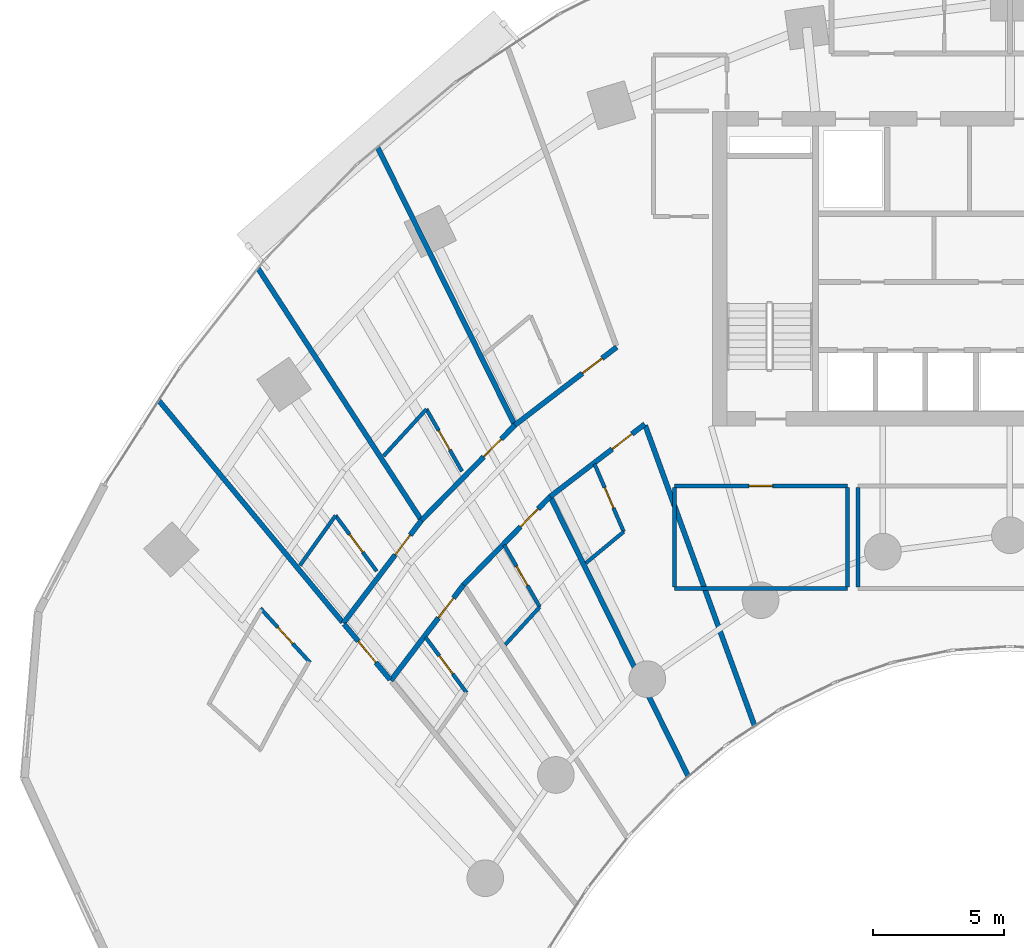
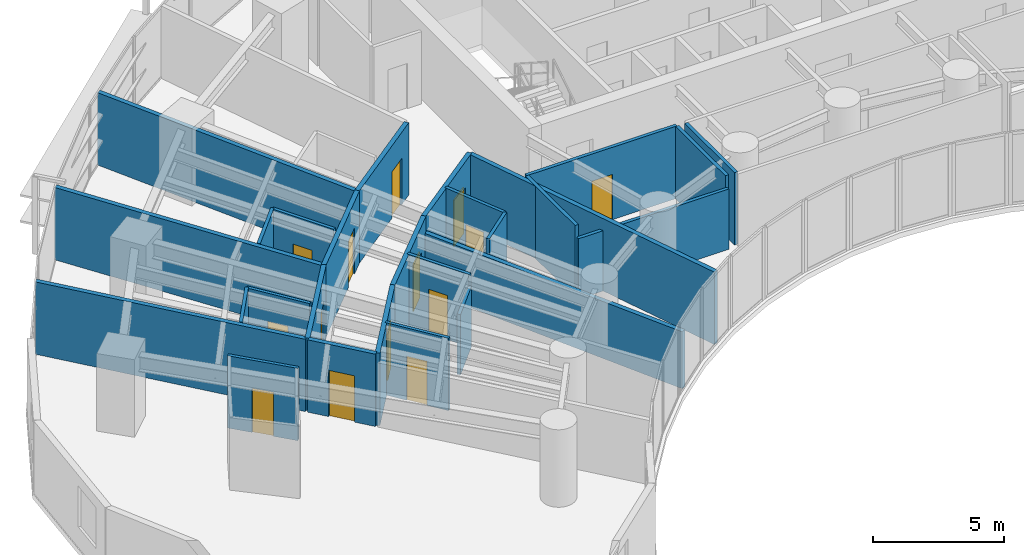
# One storey, part 11 of 18: 27 walls, 14 doors, 14 openings.
"""IFC4 building model written with IfcOpenShell, lengths in metres."""

from ifc_helpers import new_model, si_unit, direction, frame, frame_2d, origin, place, context, subcontext, project, spatial, rectangle, extrude, source, transform, mapped, material, layer, layer_set, type_object, type_shapes, element, fill, save


model = new_model("IFC4")

# Units and contexts
model_context = context("Model", 3, precision=1e-05, world=origin(), true_north=direction((0.0, 1.0)))
body_context = subcontext(model_context, "Body", "Model", "MODEL_VIEW")
ifc_project = project(units=[si_unit("LENGTHUNIT", "METRE"), si_unit("AREAUNIT", "SQUARE_METRE"), si_unit("VOLUMEUNIT", "CUBIC_METRE"), si_unit("PLANEANGLEUNIT", "RADIAN"), si_unit("MASSUNIT", "GRAM", prefix="KILO")], contexts=[model_context])

# Site, building, storey
site_placement = place(None, origin())
site = spatial("IfcSite", under=ifc_project, at=site_placement, CompositionType="ELEMENT")
building_placement = place(site_placement, origin())
building = spatial("IfcBuilding", under=site, at=building_placement, Name="Breltana Convention Tower", CompositionType="ELEMENT")
storey_placement = place(building_placement, frame((0.0, 0.0, 42.60009765625)))
storey = spatial("IfcBuildingStorey", under=building, at=storey_placement, Name="L08", CompositionType="ELEMENT", Elevation=42.60009765625)

# Walls
ifc_material_1 = material(Name="Gypsum Acoustic Drywall Partition")
ifc_layer_1 = layer(ifc_material_1, 0.14990234375, Name="Gypsum Acoustic Drywall Partition")
ifc_layer_set_1 = layer_set([ifc_layer_1], Name="Gypsum Acoustic Drywall Partition")
wall_type_1 = type_object("IfcWallType", Name="WL-PART-150", PredefinedType="PARTITIONING", material=ifc_layer_set_1)
shared_shape_1 = source(origin(), body_context, "Body", "SweptSolid", [
    extrude(rectangle(XDim=6.60009765625, YDim=0.14990234375, at=frame_2d((3.300048828125, 0.0))), origin(), (0.0, 0.0, 1.0), 2.802978515625),
])
wall_1_placement = place(storey_placement, frame((35.199951171875, 54.0, 0.0), z_axis=(0.0, 0.0, 1.0), x_axis=(1.0, 0.0, 0.0)))
element("IfcWall", 1, at=wall_1_placement, inside=storey, type_object=wall_type_1, Name="L08 interior partition W-L08-HSK-S", PredefinedType="PARTITIONING", context=body_context, shape_type="MappedRepresentation", body=[
    mapped(shared_shape_1, transform((0.0, 0.0, 0.0), scale=1.0)),
])
ifc_material_2 = material(Name="Moisture-Resistant En-Suite Partition")
ifc_layer_2 = layer(ifc_material_2, 0.139892578125, Name="Moisture-Resistant En-Suite Partition")
ifc_layer_set_2 = layer_set([ifc_layer_2], Name="Moisture-Resistant En-Suite Partition")
wall_type_2 = type_object("IfcWallType", Name="WL-WET-150", PredefinedType="PARTITIONING", material=ifc_layer_set_2)
shared_shape_2 = source(origin(), body_context, "Body", "SweptSolid", [
    extrude(rectangle(XDim=1.946533203125, YDim=0.139892578125, at=frame_2d((0.97314453125, 0.0))), origin(), (0.0, 0.0, 1.0), 2.802978515625),
])
wall_2_placement = place(storey_placement, frame((28.7490234375, 51.8642578125, 0.0), z_axis=(0.0, 0.0, 1.0), x_axis=(0.675383794012, 0.737466426888, 0.0)))
element("IfcWall", 2, at=wall_2_placement, inside=storey, type_object=wall_type_2, Name="L08 interior partition W-L08-HK04E-BK", PredefinedType="PARTITIONING", context=body_context, shape_type="MappedRepresentation", body=[
    mapped(shared_shape_2, transform((0.0, 0.0, 0.0), scale=1.0)),
])

# Wall, opening, door
shared_shape_3 = source(origin(), body_context, "Body", "SweptSolid", [
    extrude(rectangle(XDim=6.60009765625, YDim=0.14990234375, at=frame_2d((3.300048828125, 0.0))), origin(), (0.0, 0.0, 1.0), 3.35986328125),
])
wall_3_placement = place(storey_placement, frame((35.199951171875, 57.919921875, 0.0), z_axis=(0.0, 0.0, 1.0), x_axis=(1.0, 0.0, 0.0)))
wall_3 = element("IfcWall", 3, at=wall_3_placement, inside=storey, type_object=wall_type_1, Name="L08 interior partition W-L08-HSK-N", PredefinedType="PARTITIONING", context=body_context, shape_type="MappedRepresentation", body=[
    mapped(shared_shape_3, transform((0.0, 0.0, 0.0), scale=1.0)),
])
opening_1_placement = place(wall_3_placement, frame((2.85009765625, 0.0, 0.0)))
opening_1 = element("IfcOpeningElement", 4, at=opening_1_placement, cuts=wall_3, Name="Opening D-18", PredefinedType="OPENING", context=body_context, shape_type="SweptSolid", body=[
    extrude(rectangle(XDim=0.89990234375, YDim=2.10009765625, at=frame_2d((0.449951171875, 1.050048828125))), frame((0.0, 0.0849609375, 0.0), z_axis=(0.0, -1.0, 0.0), x_axis=(1.0, 0.0, 0.0)), (0.0, 0.0, 1.0), 0.169921875),
])
ifc_material_3 = material(Name="Steel Riser Fire Door", Category="steel")
door_type_1 = type_object("IfcDoorType", Name="DR-FD60-900", OperationType="NOTDEFINED", PredefinedType="DOOR", material=ifc_material_3)
shared_shape_4 = source(origin(), body_context, "Body", "SweptSolid", [
    extrude(rectangle(XDim=0.89990234375, YDim=2.10009765625, at=frame_2d((0.449951171875, 1.050048828125))), frame((0.0, 0.02490234375, 0.0), z_axis=(0.0, -1.0, 0.0), x_axis=(1.0, 0.0, 0.0)), (0.0, 0.0, 1.0), 0.050048828125),
])
type_shapes(door_type_1, [shared_shape_4])
door_1_placement = place(opening_1_placement, origin())
door_1 = element("IfcDoor", 5, at=door_1_placement, inside=storey, type_object=door_type_1, Name="L08 interior door D-L08-HSK", OperationType="SINGLE_SWING_RIGHT", OverallHeight=2.10009765625, OverallWidth=0.89990234375, PredefinedType="DOOR", context=body_context, shape_type="MappedRepresentation", body=[
    mapped(shared_shape_4, transform((0.0, 0.0, 0.0), scale=1.0)),
])
fill(opening_1, door_1)

# Walls
shared_shape_5 = source(origin(), body_context, "Body", "SweptSolid", [
    extrude(rectangle(XDim=3.78515625, YDim=0.14990234375, at=frame_2d((1.892578125, 0.0))), origin(), (0.0, 0.0, 1.0), 3.35986328125),
])
for number, where, z_axis, x_axis, name in (
    (6, (35.199951171875, 54.0673828125, 0.0), (0.0, 0.0, 1.0), (0.0, 1.0, 0.0), "L08 interior partition W-L08-HSK-W"),
    (7, (41.800048828125, 54.0673828125, 0.0), (0.0, 0.0, 1.0), (0.0, 1.0, 0.0), "L08 interior partition W-L08-HSK-E"),
    (8, (42.199951171875, 54.0673828125, 0.0), (0.0, 0.0, 1.0), (0.0, 1.0, 0.0), "L08 interior partition W-L08-HLG-W"),
):
    element("IfcWall", number, at=place(storey_placement, frame(where, z_axis=z_axis, x_axis=x_axis)), inside=storey, type_object=wall_type_1, Name=name, PredefinedType="PARTITIONING", context=body_context, shape_type="MappedRepresentation", body=[
        mapped(shared_shape_5, transform((0.0, 0.0, 0.0), scale=1.0)),
    ])

# Wall, opening, door
ifc_material_4 = material(Name="Gypsum Acoustic Hotel Wall")
ifc_layer_3 = layer(ifc_material_4, 0.195068359375, Name="Gypsum Acoustic Hotel Wall")
ifc_layer_set_3 = layer_set([ifc_layer_3], Name="Gypsum Acoustic Hotel Wall")
wall_type_3 = type_object("IfcWallType", Name="WL-HOTEL-200", PredefinedType="PARTITIONING", material=ifc_layer_set_3)
shared_shape_6 = source(origin(), body_context, "Body", "SweptSolid", [
    extrude(rectangle(XDim=4.927734375, YDim=0.195068359375, at=frame_2d((2.4638671875, 0.0))), origin(), (0.0, 0.0, 1.0), 3.35986328125),
])
wall_4_placement = place(storey_placement, frame((22.569580078125, 52.682861328125, 0.0), z_axis=(0.0, 0.0, 1.0), x_axis=(0.604793043708, 0.796382680803, 0.0)))
wall_4 = element("IfcWall", 9, at=wall_4_placement, inside=storey, type_object=wall_type_3, Name="L08 interior partition W-L08-HK01-COR", PredefinedType="PARTITIONING", context=body_context, shape_type="MappedRepresentation", body=[
    mapped(shared_shape_6, transform((0.0, 0.0, 0.0), scale=1.0)),
])
opening_2_placement = place(wall_4_placement, frame((3.27001953125, 0.0, 0.0)))
opening_2 = element("IfcOpeningElement", 10, at=opening_2_placement, cuts=wall_4, Name="Opening D-14", PredefinedType="OPENING", context=body_context, shape_type="SweptSolid", body=[
    extrude(rectangle(XDim=0.949951171875, YDim=2.14990234375, at=frame_2d((0.47509765625, 1.074951171875))), frame((0.0, 0.107421875, 0.0), z_axis=(0.0, -1.0, 0.0), x_axis=(1.0, 0.0, 0.0)), (0.0, 0.0, 1.0), 0.215087890625),
])
ifc_material_5 = material(Name="Timber Solid-Core Fire Door", Category="wood")
door_type_2 = type_object("IfcDoorType", Name="DR-FD60-950", OperationType="NOTDEFINED", PredefinedType="DOOR", material=ifc_material_5)
shared_shape_7 = source(origin(), body_context, "Body", "SweptSolid", [
    extrude(rectangle(XDim=0.949951171875, YDim=2.14990234375, at=frame_2d((0.47509765625, 1.074951171875))), frame((0.0, 0.02490234375, 0.0), z_axis=(0.0, -1.0, 0.0), x_axis=(1.0, 0.0, 0.0)), (0.0, 0.0, 1.0), 0.050048828125),
])
type_shapes(door_type_2, [shared_shape_7])
door_2_placement = place(opening_2_placement, origin())
door_2 = element("IfcDoor", 11, at=door_2_placement, inside=storey, type_object=door_type_2, Name="L08 interior door D-L08-HK01", OperationType="SINGLE_SWING_LEFT", OverallHeight=2.14990234375, OverallWidth=0.949951171875, PredefinedType="DOOR", context=body_context, shape_type="MappedRepresentation", body=[
    mapped(shared_shape_7, transform((0.0, 0.0, 0.0), scale=1.0)),
])
fill(opening_2, door_2)

# Walls
shared_shape_8 = source(origin(), body_context, "Body", "SweptSolid", [
    extrude(rectangle(XDim=10.974609375, YDim=0.195068359375, at=frame_2d((5.4873046875, 0.0))), origin(), (0.0, 0.0, 1.0), 3.35986328125),
])
wall_5_placement = place(storey_placement, frame((22.539794921875, 52.71875, 0.0), z_axis=(0.0, 0.0, 1.0), x_axis=(-0.638125265812, 0.769932558821, 0.0)))
element("IfcWall", 12, at=wall_5_placement, inside=storey, type_object=wall_type_3, Name="L08 interior partition W-L08-HK01-RA", PredefinedType="PARTITIONING", context=body_context, shape_type="MappedRepresentation", body=[
    mapped(shared_shape_8, transform((0.0, 0.0, 0.0), scale=1.0)),
])
shared_shape_9 = source(origin(), body_context, "Body", "SweptSolid", [
    extrude(rectangle(XDim=11.402587890625, YDim=0.195068359375, at=frame_2d((5.701171875, 0.0))), origin(), (0.0, 0.0, 1.0), 3.35986328125),
])
wall_6_placement = place(storey_placement, frame((25.5234375, 56.6474609375, 0.0), z_axis=(0.0, 0.0, 1.0), x_axis=(-0.544246090008, 0.838925618581, 0.0)))
element("IfcWall", 13, at=wall_6_placement, inside=storey, type_object=wall_type_3, Name="L08 interior partition W-L08-HK01-RB", PredefinedType="PARTITIONING", context=body_context, shape_type="MappedRepresentation", body=[
    mapped(shared_shape_9, transform((0.0, 0.0, 0.0), scale=1.0)),
])
shared_shape_10 = source(origin(), body_context, "Body", "SweptSolid", [
    extrude(rectangle(XDim=2.33740234375, YDim=0.139892578125, at=frame_2d((1.168701171875, 0.0))), origin(), (0.0, 0.0, 1.0), 3.35986328125),
])
wall_7_placement = place(storey_placement, frame((20.9150390625, 54.88623046875, 0.0), z_axis=(0.0, 0.0, 1.0), x_axis=(0.580862665959, 0.814001574504, 0.0)))
element("IfcWall", 14, at=wall_7_placement, inside=storey, type_object=wall_type_2, Name="L08 interior partition W-L08-HK01E-BK", PredefinedType="PARTITIONING", context=body_context, shape_type="MappedRepresentation", body=[
    mapped(shared_shape_10, transform((0.0, 0.0, 0.0), scale=1.0)),
])

# Wall, opening, door
shared_shape_11 = source(origin(), body_context, "Body", "SweptSolid", [
    extrude(rectangle(XDim=2.639892578125, YDim=0.139892578125, at=frame_2d((1.31982421875, 0.0))), origin(), (0.0, 0.0, 1.0), 3.35986328125),
])
wall_8_placement = place(storey_placement, frame((23.842529296875, 54.666259765625, 0.0), z_axis=(0.0, 0.0, 1.0), x_axis=(-0.594630255283, 0.803999290735, 0.0)))
wall_8 = element("IfcWall", 15, at=wall_8_placement, inside=storey, type_object=wall_type_2, Name="L08 interior partition W-L08-HK01E-SD", PredefinedType="PARTITIONING", context=body_context, shape_type="MappedRepresentation", body=[
    mapped(shared_shape_11, transform((0.0, 0.0, 0.0), scale=1.0)),
])
opening_3_placement = place(wall_8_placement, frame((0.89501953125, 0.0, 0.0)))
opening_3 = element("IfcOpeningElement", 16, at=opening_3_placement, cuts=wall_8, Name="Opening D-21", PredefinedType="OPENING", context=body_context, shape_type="SweptSolid", body=[
    extrude(rectangle(XDim=0.85009765625, YDim=2.050048828125, at=frame_2d((0.425048828125, 1.02490234375))), frame((0.0, 0.080078125, 0.0), z_axis=(0.0, -1.0, 0.0), x_axis=(1.0, 0.0, 0.0)), (0.0, 0.0, 1.0), 0.159912109375),
])
ifc_material_6 = material(Name="Timber Moisture-Resistant En-Suite Door", Category="wood")
door_type_3 = type_object("IfcDoorType", Name="DR-WET-850", OperationType="NOTDEFINED", PredefinedType="DOOR", material=ifc_material_6)
shared_shape_12 = source(origin(), body_context, "Body", "SweptSolid", [
    extrude(rectangle(XDim=0.85009765625, YDim=2.050048828125, at=frame_2d((0.425048828125, 1.02490234375))), frame((0.0, 0.02490234375, 0.0), z_axis=(0.0, -1.0, 0.0), x_axis=(1.0, 0.0, 0.0)), (0.0, 0.0, 1.0), 0.050048828125),
])
type_shapes(door_type_3, [shared_shape_12])
door_3_placement = place(opening_3_placement, origin())
door_3 = element("IfcDoor", 17, at=door_3_placement, inside=storey, type_object=door_type_3, Name="L08 interior door D-L08-HK01E", OperationType="SINGLE_SWING_RIGHT", OverallHeight=2.050048828125, OverallWidth=0.85009765625, PredefinedType="DOOR", context=body_context, shape_type="MappedRepresentation", body=[
    mapped(shared_shape_12, transform((0.0, 0.0, 0.0), scale=1.0)),
])
fill(opening_3, door_3)

wall_9_placement = place(storey_placement, frame((27.2705078125, 50.031005859375, 0.0), z_axis=(0.0, 0.0, 1.0), x_axis=(-0.594674469522, 0.803966588422, 0.0)))
wall_9 = element("IfcWall", 18, at=wall_9_placement, inside=storey, type_object=wall_type_2, Name="L08 interior partition W-L08-HK02E-SD", PredefinedType="PARTITIONING", context=body_context, shape_type="MappedRepresentation", body=[
    mapped(shared_shape_11, transform((0.0, 0.0, 0.0), scale=1.0)),
])
opening_4_placement = place(wall_9_placement, frame((0.89501953125, 0.0, 0.0)))
opening_4 = element("IfcOpeningElement", 19, at=opening_4_placement, cuts=wall_9, Name="Opening D-21", PredefinedType="OPENING", context=body_context, shape_type="SweptSolid", body=[
    extrude(rectangle(XDim=0.85009765625, YDim=2.050048828125, at=frame_2d((0.425048828125, 1.02490234375))), frame((0.0, 0.080078125, 0.0), z_axis=(0.0, -1.0, 0.0), x_axis=(1.0, 0.0, 0.0)), (0.0, 0.0, 1.0), 0.159912109375),
])
door_4_placement = place(opening_4_placement, origin())
door_4 = element("IfcDoor", 20, at=door_4_placement, inside=storey, type_object=door_type_3, Name="L08 interior door D-L08-HK02E", OperationType="SINGLE_SWING_RIGHT", OverallHeight=2.050048828125, OverallWidth=0.85009765625, PredefinedType="DOOR", context=body_context, shape_type="MappedRepresentation", body=[
    mapped(shared_shape_12, transform((0.0, 0.0, 0.0), scale=1.0)),
])
fill(opening_4, door_4)

shared_shape_13 = source(origin(), body_context, "Body", "SweptSolid", [
    extrude(rectangle(XDim=4.576171875, YDim=0.195068359375, at=frame_2d((2.2880859375, 0.0))), origin(), (0.0, 0.0, 1.0), 3.35986328125),
])
wall_10_placement = place(storey_placement, frame((24.3828125, 50.4951171875, 0.0), z_axis=(0.0, 0.0, 1.0), x_axis=(0.604795096156, 0.796381122118, 0.0)))
wall_10 = element("IfcWall", 21, at=wall_10_placement, inside=storey, type_object=wall_type_3, Name="L08 interior partition W-L08-HK02-COR", PredefinedType="PARTITIONING", context=body_context, shape_type="MappedRepresentation", body=[
    mapped(shared_shape_13, transform((0.0, 0.0, 0.0), scale=1.0)),
])
opening_5_placement = place(wall_10_placement, frame((3.002685546875, 0.0, 0.0)))
opening_5 = element("IfcOpeningElement", 22, at=opening_5_placement, cuts=wall_10, Name="Opening D-14", PredefinedType="OPENING", context=body_context, shape_type="SweptSolid", body=[
    extrude(rectangle(XDim=0.949951171875, YDim=2.14990234375, at=frame_2d((0.47509765625, 1.074951171875))), frame((0.0, 0.107421875, 0.0), z_axis=(0.0, -1.0, 0.0), x_axis=(1.0, 0.0, 0.0)), (0.0, 0.0, 1.0), 0.215087890625),
])
door_5_placement = place(opening_5_placement, origin())
door_5 = element("IfcDoor", 23, at=door_5_placement, inside=storey, type_object=door_type_2, Name="L08 interior door D-L08-HK02", OperationType="SINGLE_SWING_LEFT", OverallHeight=2.14990234375, OverallWidth=0.949951171875, PredefinedType="DOOR", context=body_context, shape_type="MappedRepresentation", body=[
    mapped(shared_shape_7, transform((0.0, 0.0, 0.0), scale=1.0)),
])
fill(opening_5, door_5)

shared_shape_14 = source(origin(), body_context, "Body", "SweptSolid", [
    extrude(rectangle(XDim=5.0869140625, YDim=0.195068359375, at=frame_2d((2.54345703125, 0.0))), origin(), (0.0, 0.0, 1.0), 3.35986328125),
])
wall_11_placement = place(storey_placement, frame((25.5498046875, 56.607177734375, 0.0), z_axis=(0.0, 0.0, 1.0), x_axis=(0.700428330775, 0.7137227427, 0.0)))
wall_11 = element("IfcWall", 24, at=wall_11_placement, inside=storey, type_object=wall_type_3, Name="L08 interior partition W-L08-HK03-COR", PredefinedType="PARTITIONING", context=body_context, shape_type="MappedRepresentation", body=[
    mapped(shared_shape_14, transform((0.0, 0.0, 0.0), scale=1.0)),
])
opening_6_placement = place(wall_11_placement, frame((3.39111328125, 0.0, 0.0)))
opening_6 = element("IfcOpeningElement", 25, at=opening_6_placement, cuts=wall_11, Name="Opening D-14", PredefinedType="OPENING", context=body_context, shape_type="SweptSolid", body=[
    extrude(rectangle(XDim=0.949951171875, YDim=2.14990234375, at=frame_2d((0.47509765625, 1.074951171875))), frame((0.0, 0.107421875, 0.0), z_axis=(0.0, -1.0, 0.0), x_axis=(1.0, 0.0, 0.0)), (0.0, 0.0, 1.0), 0.215087890625),
])
door_6_placement = place(opening_6_placement, origin())
door_6 = element("IfcDoor", 26, at=door_6_placement, inside=storey, type_object=door_type_2, Name="L08 interior door D-L08-HK03", OperationType="SINGLE_SWING_LEFT", OverallHeight=2.14990234375, OverallWidth=0.949951171875, PredefinedType="DOOR", context=body_context, shape_type="MappedRepresentation", body=[
    mapped(shared_shape_7, transform((0.0, 0.0, 0.0), scale=1.0)),
])
fill(opening_6, door_6)

# Walls
shared_shape_15 = source(origin(), body_context, "Body", "SweptSolid", [
    extrude(rectangle(XDim=11.769775390625, YDim=0.195068359375, at=frame_2d((5.884765625, 0.0))), origin(), (0.0, 0.0, 1.0), 3.35986328125),
])
wall_12_placement = place(storey_placement, frame((29.090576171875, 60.282470703125, 0.0), z_axis=(0.0, 0.0, 1.0), x_axis=(-0.44286060326, 0.896590478468, 0.0)))
element("IfcWall", 27, at=wall_12_placement, inside=storey, type_object=wall_type_3, Name="L08 interior partition W-L08-HK03-RB", PredefinedType="PARTITIONING", context=body_context, shape_type="MappedRepresentation", body=[
    mapped(shared_shape_15, transform((0.0, 0.0, 0.0), scale=1.0)),
])
shared_shape_16 = source(origin(), body_context, "Body", "SweptSolid", [
    extrude(rectangle(XDim=2.415771484375, YDim=0.139892578125, at=frame_2d((1.2080078125, 0.0))), origin(), (0.0, 0.0, 1.0), 3.35986328125),
])
wall_13_placement = place(storey_placement, frame((24.10791015625, 59.064208984375, 0.0), z_axis=(0.0, 0.0, 1.0), x_axis=(0.675399637907, 0.737451916476, 0.0)))
element("IfcWall", 28, at=wall_13_placement, inside=storey, type_object=wall_type_2, Name="L08 interior partition W-L08-HK03E-BK", PredefinedType="PARTITIONING", context=body_context, shape_type="MappedRepresentation", body=[
    mapped(shared_shape_16, transform((0.0, 0.0, 0.0), scale=1.0)),
])

# Wall, opening, door
shared_shape_17 = source(origin(), body_context, "Body", "SweptSolid", [
    extrude(rectangle(XDim=2.731689453125, YDim=0.139892578125, at=frame_2d((1.36572265625, 0.0))), origin(), (0.0, 0.0, 1.0), 3.35986328125),
])
wall_14_placement = place(storey_placement, frame((27.097900390625, 58.4755859375, 0.0), z_axis=(0.0, 0.0, 1.0), x_axis=(-0.497254966372, 0.867604459658, 0.0)))
wall_14 = element("IfcWall", 29, at=wall_14_placement, inside=storey, type_object=wall_type_2, Name="L08 interior partition W-L08-HK03E-SD", PredefinedType="PARTITIONING", context=body_context, shape_type="MappedRepresentation", body=[
    mapped(shared_shape_17, transform((0.0, 0.0, 0.0), scale=1.0)),
])
opening_7_placement = place(wall_14_placement, frame((0.94091796875, 0.0, 0.0)))
opening_7 = element("IfcOpeningElement", 30, at=opening_7_placement, cuts=wall_14, Name="Opening D-21", PredefinedType="OPENING", context=body_context, shape_type="SweptSolid", body=[
    extrude(rectangle(XDim=0.85009765625, YDim=2.050048828125, at=frame_2d((0.425048828125, 1.02490234375))), frame((0.0, 0.080078125, 0.0), z_axis=(0.0, -1.0, 0.0), x_axis=(1.0, 0.0, 0.0)), (0.0, 0.0, 1.0), 0.159912109375),
])
door_7_placement = place(opening_7_placement, origin())
door_7 = element("IfcDoor", 31, at=door_7_placement, inside=storey, type_object=door_type_3, Name="L08 interior door D-L08-HK03E", OperationType="SINGLE_SWING_RIGHT", OverallHeight=2.050048828125, OverallWidth=0.85009765625, PredefinedType="DOOR", context=body_context, shape_type="MappedRepresentation", body=[
    mapped(shared_shape_12, transform((0.0, 0.0, 0.0), scale=1.0)),
])
fill(opening_7, door_7)

shared_shape_18 = source(origin(), body_context, "Body", "SweptSolid", [
    extrude(rectangle(XDim=4.724365234375, YDim=0.195068359375, at=frame_2d((2.3623046875, 0.0))), origin(), (0.0, 0.0, 1.0), 3.35986328125),
])
wall_15_placement = place(storey_placement, frame((27.150390625, 54.139404296875, 0.0), z_axis=(0.0, 0.0, 1.0), x_axis=(0.700435057457, 0.713716141253, 0.0)))
wall_15 = element("IfcWall", 32, at=wall_15_placement, inside=storey, type_object=wall_type_3, Name="L08 interior partition W-L08-HK04-COR", PredefinedType="PARTITIONING", context=body_context, shape_type="MappedRepresentation", body=[
    mapped(shared_shape_18, transform((0.0, 0.0, 0.0), scale=1.0)),
])
opening_8_placement = place(wall_15_placement, frame((3.115478515625, 0.0, 0.0)))
opening_8 = element("IfcOpeningElement", 33, at=opening_8_placement, cuts=wall_15, Name="Opening D-14", PredefinedType="OPENING", context=body_context, shape_type="SweptSolid", body=[
    extrude(rectangle(XDim=0.949951171875, YDim=2.14990234375, at=frame_2d((0.47509765625, 1.074951171875))), frame((0.0, 0.107421875, 0.0), z_axis=(0.0, -1.0, 0.0), x_axis=(1.0, 0.0, 0.0)), (0.0, 0.0, 1.0), 0.215087890625),
])
door_8_placement = place(opening_8_placement, origin())
door_8 = element("IfcDoor", 34, at=door_8_placement, inside=storey, type_object=door_type_2, Name="L08 interior door D-L08-HK04", OperationType="SINGLE_SWING_LEFT", OverallHeight=2.14990234375, OverallWidth=0.949951171875, PredefinedType="DOOR", context=body_context, shape_type="MappedRepresentation", body=[
    mapped(shared_shape_7, transform((0.0, 0.0, 0.0), scale=1.0)),
])
fill(opening_8, door_8)

# Wall
shared_shape_19 = source(origin(), body_context, "Body", "SweptSolid", [
    extrude(rectangle(XDim=11.843505859375, YDim=0.195068359375, at=frame_2d((5.921875, 0.0))), origin(), (0.0, 0.0, 1.0), 2.643798828125),
])
wall_16_placement = place(storey_placement, frame((35.7265625, 46.847900390625, 0.0), z_axis=(0.0, 0.0, 1.0), x_axis=(-0.442871152218, 0.896585267854, 0.0)))
element("IfcWall", 35, at=wall_16_placement, inside=storey, type_object=wall_type_3, Name="L08 interior partition W-L08-HK04-RB", PredefinedType="PARTITIONING", context=body_context, shape_type="MappedRepresentation", body=[
    mapped(shared_shape_19, transform((0.0, 0.0, 0.0), scale=1.0)),
])

# Wall, opening, door
shared_shape_20 = source(origin(), body_context, "Body", "SweptSolid", [
    extrude(rectangle(XDim=2.7314453125, YDim=0.139892578125, at=frame_2d((1.36572265625, 0.0))), origin(), (0.0, 0.0, 1.0), 3.35986328125),
])
wall_17_placement = place(storey_placement, frame((30.063720703125, 53.2998046875, 0.0), z_axis=(0.0, 0.0, 1.0), x_axis=(-0.497120404056, 0.867681568244, 0.0)))
wall_17 = element("IfcWall", 36, at=wall_17_placement, inside=storey, type_object=wall_type_2, Name="L08 interior partition W-L08-HK04E-SD", PredefinedType="PARTITIONING", context=body_context, shape_type="MappedRepresentation", body=[
    mapped(shared_shape_20, transform((0.0, 0.0, 0.0), scale=1.0)),
])
opening_9_placement = place(wall_17_placement, frame((0.94091796875, 0.0, 0.0)))
opening_9 = element("IfcOpeningElement", 37, at=opening_9_placement, cuts=wall_17, Name="Opening D-21", PredefinedType="OPENING", context=body_context, shape_type="SweptSolid", body=[
    extrude(rectangle(XDim=0.85009765625, YDim=2.050048828125, at=frame_2d((0.425048828125, 1.02490234375))), frame((0.0, 0.080078125, 0.0), z_axis=(0.0, -1.0, 0.0), x_axis=(1.0, 0.0, 0.0)), (0.0, 0.0, 1.0), 0.159912109375),
])
door_9_placement = place(opening_9_placement, origin())
door_9 = element("IfcDoor", 38, at=door_9_placement, inside=storey, type_object=door_type_3, Name="L08 interior door D-L08-HK04E", OperationType="SINGLE_SWING_RIGHT", OverallHeight=2.050048828125, OverallWidth=0.85009765625, PredefinedType="DOOR", context=body_context, shape_type="MappedRepresentation", body=[
    mapped(shared_shape_12, transform((0.0, 0.0, 0.0), scale=1.0)),
])
fill(opening_9, door_9)

shared_shape_21 = source(origin(), body_context, "Body", "SweptSolid", [
    extrude(rectangle(XDim=4.894775390625, YDim=0.195068359375, at=frame_2d((2.447265625, 0.0))), origin(), (0.0, 0.0, 1.0), 3.35986328125),
])
wall_18_placement = place(storey_placement, frame((29.11279296875, 60.23779296875, 0.0), z_axis=(0.0, 0.0, 1.0), x_axis=(0.793896075849, 0.608053468661, 0.0)))
wall_18 = element("IfcWall", 39, at=wall_18_placement, inside=storey, type_object=wall_type_3, Name="L08 interior partition W-L08-HK05-COR", PredefinedType="PARTITIONING", context=body_context, shape_type="MappedRepresentation", body=[
    mapped(shared_shape_21, transform((0.0, 0.0, 0.0), scale=1.0)),
])
opening_10_placement = place(wall_18_placement, frame((3.2451171875, 0.0, 0.0)))
opening_10 = element("IfcOpeningElement", 40, at=opening_10_placement, cuts=wall_18, Name="Opening D-14", PredefinedType="OPENING", context=body_context, shape_type="SweptSolid", body=[
    extrude(rectangle(XDim=0.949951171875, YDim=2.14990234375, at=frame_2d((0.47509765625, 1.074951171875))), frame((0.0, 0.107421875, 0.0), z_axis=(0.0, -1.0, 0.0), x_axis=(1.0, 0.0, 0.0)), (0.0, 0.0, 1.0), 0.215087890625),
])
door_10_placement = place(opening_10_placement, origin())
door_10 = element("IfcDoor", 41, at=door_10_placement, inside=storey, type_object=door_type_2, Name="L08 interior door D-L08-HK05", OperationType="SINGLE_SWING_LEFT", OverallHeight=2.14990234375, OverallWidth=0.949951171875, PredefinedType="DOOR", context=body_context, shape_type="MappedRepresentation", body=[
    mapped(shared_shape_7, transform((0.0, 0.0, 0.0), scale=1.0)),
])
fill(opening_10, door_10)

shared_shape_22 = source(origin(), body_context, "Body", "SweptSolid", [
    extrude(rectangle(XDim=4.546142578125, YDim=0.195068359375, at=frame_2d((2.27294921875, 0.0))), origin(), (0.0, 0.0, 1.0), 3.35986328125),
])
wall_19_placement = place(storey_placement, frame((30.45947265625, 57.51123046875, 0.0), z_axis=(0.0, 0.0, 1.0), x_axis=(0.793907931297, 0.608037989457, 0.0)))
wall_19 = element("IfcWall", 42, at=wall_19_placement, inside=storey, type_object=wall_type_3, Name="L08 interior partition W-L08-HK06-COR", PredefinedType="PARTITIONING", context=body_context, shape_type="MappedRepresentation", body=[
    mapped(shared_shape_22, transform((0.0, 0.0, 0.0), scale=1.0)),
])
opening_11_placement = place(wall_19_placement, frame((2.97998046875, 0.0, 0.0)))
opening_11 = element("IfcOpeningElement", 43, at=opening_11_placement, cuts=wall_19, Name="Opening D-14", PredefinedType="OPENING", context=body_context, shape_type="SweptSolid", body=[
    extrude(rectangle(XDim=0.949951171875, YDim=2.14990234375, at=frame_2d((0.47509765625, 1.074951171875))), frame((0.0, 0.107421875, 0.0), z_axis=(0.0, -1.0, 0.0), x_axis=(1.0, 0.0, 0.0)), (0.0, 0.0, 1.0), 0.215087890625),
])
door_11_placement = place(opening_11_placement, origin())
door_11 = element("IfcDoor", 44, at=door_11_placement, inside=storey, type_object=door_type_2, Name="L08 interior door D-L08-HK06", OperationType="SINGLE_SWING_LEFT", OverallHeight=2.14990234375, OverallWidth=0.949951171875, PredefinedType="DOOR", context=body_context, shape_type="MappedRepresentation", body=[
    mapped(shared_shape_7, transform((0.0, 0.0, 0.0), scale=1.0)),
])
fill(opening_11, door_11)

# Walls
shared_shape_23 = source(origin(), body_context, "Body", "SweptSolid", [
    extrude(rectangle(XDim=12.1962890625, YDim=0.195068359375, at=frame_2d((6.09814453125, 0.0))), origin(), (0.0, 0.0, 1.0), 3.35986328125),
])
wall_20_placement = place(storey_placement, frame((38.257568359375, 48.766357421875, 0.0), z_axis=(0.0, 0.0, 1.0), x_axis=(-0.342022711534, 0.939691686031, 0.0)))
element("IfcWall", 45, at=wall_20_placement, inside=storey, type_object=wall_type_3, Name="L08 interior partition W-L08-HK06-RB", PredefinedType="PARTITIONING", context=body_context, shape_type="MappedRepresentation", body=[
    mapped(shared_shape_23, transform((0.0, 0.0, 0.0), scale=1.0)),
])
shared_shape_24 = source(origin(), body_context, "Body", "SweptSolid", [
    extrude(rectangle(XDim=1.872802734375, YDim=0.139892578125, at=frame_2d((0.9365234375, 0.0))), origin(), (0.0, 0.0, 1.0), 3.35986328125),
])
wall_21_placement = place(storey_placement, frame((31.82275390625, 54.975830078125, 0.0), z_axis=(0.0, 0.0, 1.0), x_axis=(0.77069451688, 0.637204803537, 0.0)))
element("IfcWall", 46, at=wall_21_placement, inside=storey, type_object=wall_type_2, Name="L08 interior partition W-L08-HK06E-BK", PredefinedType="PARTITIONING", context=body_context, shape_type="MappedRepresentation", body=[
    mapped(shared_shape_24, transform((0.0, 0.0, 0.0), scale=1.0)),
])

# Wall, opening, door
shared_shape_25 = source(origin(), body_context, "Body", "SweptSolid", [
    extrude(rectangle(XDim=2.8173828125, YDim=0.139892578125, at=frame_2d((1.40869140625, 0.0))), origin(), (0.0, 0.0, 1.0), 3.35986328125),
])
wall_22_placement = place(storey_placement, frame((33.26611328125, 56.169189453125, 0.0), z_axis=(0.0, 0.0, 1.0), x_axis=(-0.395999429727, 0.918250756415, 0.0)))
wall_22 = element("IfcWall", 47, at=wall_22_placement, inside=storey, type_object=wall_type_2, Name="L08 interior partition W-L08-HK06E-SD", PredefinedType="PARTITIONING", context=body_context, shape_type="MappedRepresentation", body=[
    mapped(shared_shape_25, transform((0.0, 0.0, 0.0), scale=1.0)),
])
opening_12_placement = place(wall_22_placement, frame((0.98388671875, 0.0, 0.0)))
opening_12 = element("IfcOpeningElement", 48, at=opening_12_placement, cuts=wall_22, Name="Opening D-21", PredefinedType="OPENING", context=body_context, shape_type="SweptSolid", body=[
    extrude(rectangle(XDim=0.85009765625, YDim=2.050048828125, at=frame_2d((0.425048828125, 1.02490234375))), frame((0.0, 0.080078125, 0.0), z_axis=(0.0, -1.0, 0.0), x_axis=(1.0, 0.0, 0.0)), (0.0, 0.0, 1.0), 0.159912109375),
])
door_12_placement = place(opening_12_placement, origin())
door_12 = element("IfcDoor", 49, at=door_12_placement, inside=storey, type_object=door_type_3, Name="L08 interior door D-L08-HK06E", OperationType="SINGLE_SWING_RIGHT", OverallHeight=2.050048828125, OverallWidth=0.85009765625, PredefinedType="DOOR", context=body_context, shape_type="MappedRepresentation", body=[
    mapped(shared_shape_12, transform((0.0, 0.0, 0.0), scale=1.0)),
])
fill(opening_12, door_12)

shared_shape_26 = source(origin(), body_context, "Body", "SweptSolid", [
    extrude(rectangle(XDim=2.748291015625, YDim=0.195068359375, at=frame_2d((1.3740234375, 0.0))), origin(), (0.0, 0.0, 1.0), 3.35986328125),
])
wall_23_placement = place(storey_placement, frame((24.35302734375, 50.531005859375, 0.0), z_axis=(0.0, 0.0, 1.0), x_axis=(-0.638111168284, 0.769944242729, 0.0)))
wall_23 = element("IfcWall", 50, at=wall_23_placement, inside=storey, type_object=wall_type_3, Name="L08 interior partition W-L08-CS-W-END", PredefinedType="PARTITIONING", context=body_context, shape_type="MappedRepresentation", body=[
    mapped(shared_shape_26, transform((0.0, 0.0, 0.0), scale=1.0)),
])
opening_13_placement = place(wall_23_placement, frame((0.84912109375, 0.0, 0.0)))
opening_13 = element("IfcOpeningElement", 51, at=opening_13_placement, cuts=wall_23, Name="Opening D-13", PredefinedType="OPENING", context=body_context, shape_type="SweptSolid", body=[
    extrude(rectangle(XDim=1.050048828125, YDim=2.14990234375, at=frame_2d((0.52490234375, 1.074951171875))), frame((0.0, 0.107421875, 0.0), z_axis=(0.0, -1.0, 0.0), x_axis=(1.0, 0.0, 0.0)), (0.0, 0.0, 1.0), 0.215087890625),
])
door_type_4 = type_object("IfcDoorType", Name="DR-FD60-1050", OperationType="NOTDEFINED", PredefinedType="DOOR", material=ifc_material_5)
shared_shape_27 = source(origin(), body_context, "Body", "SweptSolid", [
    extrude(rectangle(XDim=1.050048828125, YDim=2.14990234375, at=frame_2d((0.52490234375, 1.074951171875))), frame((0.0, 0.02490234375, 0.0), z_axis=(0.0, -1.0, 0.0), x_axis=(1.0, 0.0, 0.0)), (0.0, 0.0, 1.0), 0.050048828125),
])
type_shapes(door_type_4, [shared_shape_27])
door_13_placement = place(opening_13_placement, origin())
door_13 = element("IfcDoor", 52, at=door_13_placement, inside=storey, type_object=door_type_4, Name="L08 interior door D-L08-CS-W", OperationType="SINGLE_SWING_LEFT", OverallHeight=2.14990234375, OverallWidth=1.050048828125, PredefinedType="DOOR", context=body_context, shape_type="MappedRepresentation", body=[
    mapped(shared_shape_27, transform((0.0, 0.0, 0.0), scale=1.0)),
])
fill(opening_13, door_13)

shared_shape_28 = source(origin(), body_context, "Body", "SweptSolid", [
    extrude(rectangle(XDim=2.812255859375, YDim=0.139892578125, at=frame_2d((1.40625, 0.0))), origin(), (0.0, 0.0, 1.0), 3.35986328125),
])
wall_24_placement = place(storey_placement, frame((21.30322265625, 51.176513671875, 0.0), z_axis=(0.0, 0.0, 1.0), x_axis=(-0.675119025852, 0.737708818527, 0.0)))
wall_24 = element("IfcWall", 53, at=wall_24_placement, inside=storey, type_object=wall_type_2, Name="L08 interior partition W-L08-CSENS-W-W", PredefinedType="PARTITIONING", context=body_context, shape_type="MappedRepresentation", body=[
    mapped(shared_shape_28, transform((0.0, 0.0, 0.0), scale=1.0)),
])
opening_14_placement = place(wall_24_placement, frame((0.981201171875, 0.0, 0.0)))
opening_14 = element("IfcOpeningElement", 54, at=opening_14_placement, cuts=wall_24, Name="Opening D-21", PredefinedType="OPENING", context=body_context, shape_type="SweptSolid", body=[
    extrude(rectangle(XDim=0.85009765625, YDim=2.050048828125, at=frame_2d((0.425048828125, 1.02490234375))), frame((0.0, 0.080078125, 0.0), z_axis=(0.0, -1.0, 0.0), x_axis=(1.0, 0.0, 0.0)), (0.0, 0.0, 1.0), 0.159912109375),
])
door_14_placement = place(opening_14_placement, origin())
door_14 = element("IfcDoor", 55, at=door_14_placement, inside=storey, type_object=door_type_3, Name="L08 interior door D-L08-CSENS-W", OperationType="SINGLE_SWING_RIGHT", OverallHeight=2.050048828125, OverallWidth=0.85009765625, PredefinedType="DOOR", context=body_context, shape_type="MappedRepresentation", body=[
    mapped(shared_shape_12, transform((0.0, 0.0, 0.0), scale=1.0)),
])
fill(opening_14, door_14)

save(model, "model.ifc")
